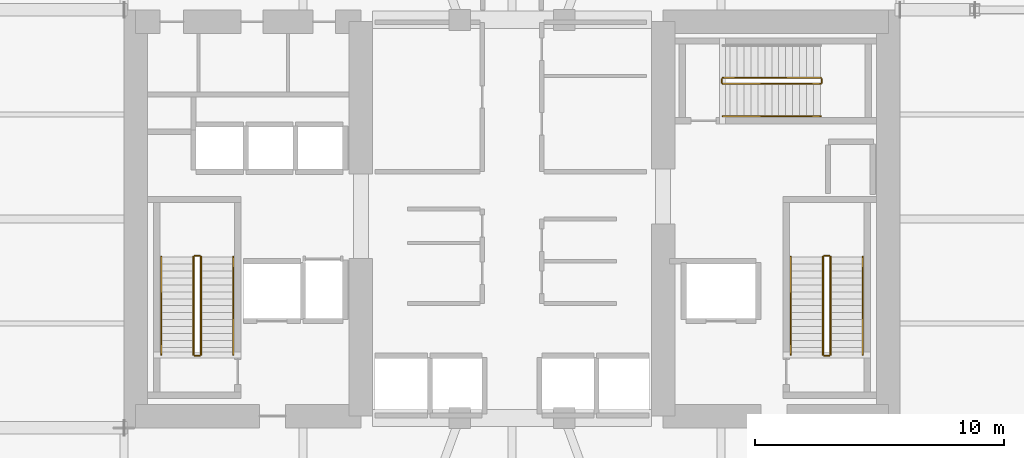
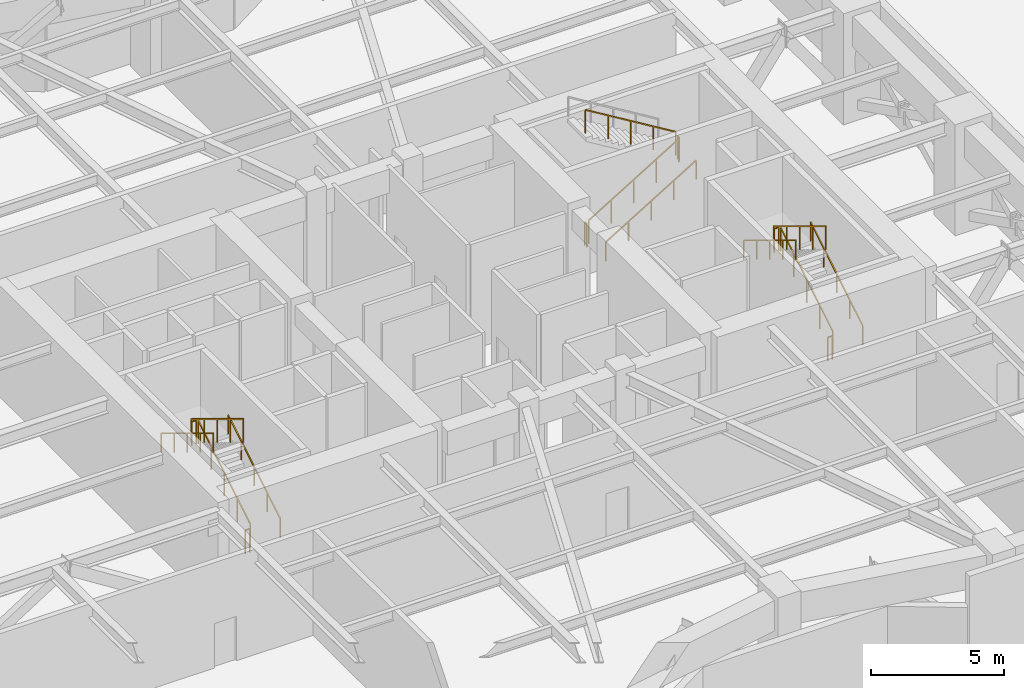
# One storey, part 15 of 16: 17 railings.
"""IFC4 building model written with IfcOpenShell, lengths in metres."""

from ifc_helpers import new_model, si_unit, direction, frame, origin, origin_2d, place, context, subcontext, project, spatial, rectangle, extrude, material, type_object, element, save


model = new_model("IFC4")

# Units and contexts
model_context = context("Model", 3, precision=1e-05, world=origin(), true_north=direction((0.0, 1.0)))
body_context = subcontext(model_context, "Body", "Model", "MODEL_VIEW")
ifc_project = project(units=[si_unit("LENGTHUNIT", "METRE"), si_unit("AREAUNIT", "SQUARE_METRE"), si_unit("VOLUMEUNIT", "CUBIC_METRE"), si_unit("PLANEANGLEUNIT", "RADIAN"), si_unit("MASSUNIT", "GRAM", prefix="KILO")], contexts=[model_context])

# Site, building, storey
site_placement = place(None, origin())
site = spatial("IfcSite", under=ifc_project, at=site_placement, CompositionType="ELEMENT")
building_placement = place(site_placement, origin())
building = spatial("IfcBuilding", under=site, at=building_placement, Name="Kiyonajd Concourse Tower", CompositionType="ELEMENT")
storey_placement = place(building_placement, frame((0.0, 0.0, 80.699951171875)))
storey = spatial("IfcBuildingStorey", under=building, at=storey_placement, Name="L21", CompositionType="ELEMENT", Elevation=80.699951171875)

# Railings
ifc_material_1 = material(Name="Steel ASTM A500 Grade C", Category="steel")
railing_type_1 = type_object("IfcRailingType", Name="RL-GRD-STR", PredefinedType="GUARDRAIL", material=ifc_material_1)
railing_1_placement = place(storey_placement, frame((35.5, 30.550048828125, 0.170166015625)))
element("IfcRailing", 1, at=railing_1_placement, inside=storey, type_object=railing_type_1, Name="L21 ST1 stair guard 1", PredefinedType="GUARDRAIL", context=body_context, shape_type="SweptSolid", body=[
    extrude(rectangle(XDim=0.048095703125, YDim=0.048095703125, at=origin_2d()), frame((0.0, 0.0, 1.076171875), z_axis=(0.0, 0.854794262968, 0.518967020143), x_axis=(-1.0, 0.0, 0.0)), (0.0, 0.0, 1.0), 4.585693359375),
    extrude(rectangle(XDim=0.0419921875, YDim=0.0419921875, at=origin_2d()), origin(), (0.0, 0.0, 1.0), 1.052001953125),
    extrude(rectangle(XDim=0.0419921875, YDim=0.0419921875, at=origin_2d()), frame((0.0, 0.97998046875, 0.594970703125)), (0.0, 0.0, 1.0), 1.052001953125),
    extrude(rectangle(XDim=0.0419921875, YDim=0.0419921875, at=origin_2d()), frame((0.0, 1.9599609375, 1.18994140625)), (0.0, 0.0, 1.0), 1.052001953125),
    extrude(rectangle(XDim=0.0419921875, YDim=0.0419921875, at=origin_2d()), frame((0.0, 2.93994140625, 1.784912109375)), (0.0, 0.0, 1.0), 1.052001953125),
    extrude(rectangle(XDim=0.0419921875, YDim=0.0419921875, at=origin_2d()), frame((0.0, 3.919921875, 2.3798828125)), (0.0, 0.0, 1.0), 1.052001953125),
])
railing_2_placement = place(storey_placement, frame((35.449951171875, 34.52001953125, 2.550048828125)))
element("IfcRailing", 2, at=railing_2_placement, inside=storey, type_object=railing_type_1, Name="L21 ST1 stair guard 2", PredefinedType="GUARDRAIL", context=body_context, shape_type="SweptSolid", body=[
    extrude(rectangle(XDim=0.048095703125, YDim=0.048095703125, at=origin_2d()), frame((0.0, 0.0, 1.076171875), z_axis=(-1.0, 0.0, 0.0), x_axis=(0.0, -1.0, 0.0)), (0.0, 0.0, 1.0), 0.199951171875),
    extrude(rectangle(XDim=0.0419921875, YDim=0.0419921875, at=origin_2d()), origin(), (0.0, 0.0, 1.0), 1.052001953125),
    extrude(rectangle(XDim=0.0419921875, YDim=0.0419921875, at=origin_2d()), frame((-0.199951171875, 0.0, 0.0)), (0.0, 0.0, 1.0), 1.052001953125),
])
railing_3_placement = place(storey_placement, frame((35.199951171875, 34.469970703125, 2.719970703125)))
element("IfcRailing", 3, at=railing_3_placement, inside=storey, type_object=railing_type_1, Name="L21 ST1 stair guard 3", PredefinedType="GUARDRAIL", context=body_context, shape_type="SweptSolid", body=[
    extrude(rectangle(XDim=0.048095703125, YDim=0.048095703125, at=origin_2d()), frame((0.0, 0.0, 1.076171875), z_axis=(0.0, -0.854770645689, 0.519005918337), x_axis=(1.0, 0.0, 0.0)), (0.0, 0.0, 1.0), 4.5859375),
    extrude(rectangle(XDim=0.0419921875, YDim=0.0419921875, at=origin_2d()), origin(), (0.0, 0.0, 1.0), 1.052001953125),
    extrude(rectangle(XDim=0.0419921875, YDim=0.0419921875, at=origin_2d()), frame((0.0, -0.97998046875, 0.594970703125)), (0.0, 0.0, 1.0), 1.052001953125),
    extrude(rectangle(XDim=0.0419921875, YDim=0.0419921875, at=origin_2d()), frame((0.0, -1.9599609375, 1.18994140625)), (0.0, 0.0, 1.0), 1.052001953125),
    extrude(rectangle(XDim=0.0419921875, YDim=0.0419921875, at=origin_2d()), frame((0.0, -2.93994140625, 1.78515625)), (0.0, 0.0, 1.0), 1.052001953125),
    extrude(rectangle(XDim=0.0419921875, YDim=0.0419921875, at=origin_2d()), frame((0.0, -3.919921875, 2.380126953125)), (0.0, 0.0, 1.0), 1.052001953125),
])
railing_4_placement = place(storey_placement, frame((35.449951171875, 30.5, 0.0)))
element("IfcRailing", 4, at=railing_4_placement, inside=storey, type_object=railing_type_1, Name="L21 ST1 stair guard 4", PredefinedType="GUARDRAIL", context=body_context, shape_type="SweptSolid", body=[
    extrude(rectangle(XDim=0.048095703125, YDim=0.048095703125, at=origin_2d()), frame((0.0, 0.0, 1.076171875), z_axis=(-1.0, 0.0, 0.0), x_axis=(0.0, -1.0, 0.0)), (0.0, 0.0, 1.0), 0.199951171875),
    extrude(rectangle(XDim=0.0419921875, YDim=0.0419921875, at=origin_2d()), origin(), (0.0, 0.0, 1.0), 1.052001953125),
    extrude(rectangle(XDim=0.0419921875, YDim=0.0419921875, at=origin_2d()), frame((-0.199951171875, 0.0, 0.0)), (0.0, 0.0, 1.0), 1.052001953125),
])
railing_5_placement = place(storey_placement, frame((60.800048828125, 30.550048828125, 0.170166015625)))
element("IfcRailing", 5, at=railing_5_placement, inside=storey, type_object=railing_type_1, Name="L21 ST2 stair guard 1", PredefinedType="GUARDRAIL", context=body_context, shape_type="SweptSolid", body=[
    extrude(rectangle(XDim=0.048095703125, YDim=0.048095703125, at=origin_2d()), frame((0.0, 0.0, 1.076171875), z_axis=(0.0, 0.854794262968, 0.518967020143), x_axis=(-1.0, 0.0, 0.0)), (0.0, 0.0, 1.0), 4.585693359375),
    extrude(rectangle(XDim=0.0419921875, YDim=0.0419921875, at=origin_2d()), origin(), (0.0, 0.0, 1.0), 1.052001953125),
    extrude(rectangle(XDim=0.0419921875, YDim=0.0419921875, at=origin_2d()), frame((0.0, 0.97998046875, 0.594970703125)), (0.0, 0.0, 1.0), 1.052001953125),
    extrude(rectangle(XDim=0.0419921875, YDim=0.0419921875, at=origin_2d()), frame((0.0, 1.9599609375, 1.18994140625)), (0.0, 0.0, 1.0), 1.052001953125),
    extrude(rectangle(XDim=0.0419921875, YDim=0.0419921875, at=origin_2d()), frame((0.0, 2.93994140625, 1.784912109375)), (0.0, 0.0, 1.0), 1.052001953125),
    extrude(rectangle(XDim=0.0419921875, YDim=0.0419921875, at=origin_2d()), frame((0.0, 3.919921875, 2.3798828125)), (0.0, 0.0, 1.0), 1.052001953125),
])
railing_6_placement = place(storey_placement, frame((60.75, 34.52001953125, 2.550048828125)))
element("IfcRailing", 6, at=railing_6_placement, inside=storey, type_object=railing_type_1, Name="L21 ST2 stair guard 2", PredefinedType="GUARDRAIL", context=body_context, shape_type="SweptSolid", body=[
    extrude(rectangle(XDim=0.048095703125, YDim=0.048095703125, at=origin_2d()), frame((0.0, 0.0, 1.076171875), z_axis=(-1.0, 0.0, 0.0), x_axis=(0.0, -1.0, 0.0)), (0.0, 0.0, 1.0), 0.199951171875),
    extrude(rectangle(XDim=0.0419921875, YDim=0.0419921875, at=origin_2d()), origin(), (0.0, 0.0, 1.0), 1.052001953125),
    extrude(rectangle(XDim=0.0419921875, YDim=0.0419921875, at=origin_2d()), frame((-0.199951171875, 0.0, 0.0)), (0.0, 0.0, 1.0), 1.052001953125),
])
railing_7_placement = place(storey_placement, frame((60.5, 34.469970703125, 2.719970703125)))
element("IfcRailing", 7, at=railing_7_placement, inside=storey, type_object=railing_type_1, Name="L21 ST2 stair guard 3", PredefinedType="GUARDRAIL", context=body_context, shape_type="SweptSolid", body=[
    extrude(rectangle(XDim=0.048095703125, YDim=0.048095703125, at=origin_2d()), frame((0.0, 0.0, 1.076171875), z_axis=(0.0, -0.854770645689, 0.519005918337), x_axis=(1.0, 0.0, 0.0)), (0.0, 0.0, 1.0), 4.5859375),
    extrude(rectangle(XDim=0.0419921875, YDim=0.0419921875, at=origin_2d()), origin(), (0.0, 0.0, 1.0), 1.052001953125),
    extrude(rectangle(XDim=0.0419921875, YDim=0.0419921875, at=origin_2d()), frame((0.0, -0.97998046875, 0.594970703125)), (0.0, 0.0, 1.0), 1.052001953125),
    extrude(rectangle(XDim=0.0419921875, YDim=0.0419921875, at=origin_2d()), frame((0.0, -1.9599609375, 1.18994140625)), (0.0, 0.0, 1.0), 1.052001953125),
    extrude(rectangle(XDim=0.0419921875, YDim=0.0419921875, at=origin_2d()), frame((0.0, -2.93994140625, 1.78515625)), (0.0, 0.0, 1.0), 1.052001953125),
    extrude(rectangle(XDim=0.0419921875, YDim=0.0419921875, at=origin_2d()), frame((0.0, -3.919921875, 2.380126953125)), (0.0, 0.0, 1.0), 1.052001953125),
])
railing_8_placement = place(storey_placement, frame((60.75, 30.5, 0.0)))
element("IfcRailing", 8, at=railing_8_placement, inside=storey, type_object=railing_type_1, Name="L21 ST2 stair guard 4", PredefinedType="GUARDRAIL", context=body_context, shape_type="SweptSolid", body=[
    extrude(rectangle(XDim=0.048095703125, YDim=0.048095703125, at=origin_2d()), frame((0.0, 0.0, 1.076171875), z_axis=(-1.0, 0.0, 0.0), x_axis=(0.0, -1.0, 0.0)), (0.0, 0.0, 1.0), 0.199951171875),
    extrude(rectangle(XDim=0.0419921875, YDim=0.0419921875, at=origin_2d()), origin(), (0.0, 0.0, 1.0), 1.052001953125),
    extrude(rectangle(XDim=0.0419921875, YDim=0.0419921875, at=origin_2d()), frame((-0.199951171875, 0.0, 0.0)), (0.0, 0.0, 1.0), 1.052001953125),
])
railing_9_placement = place(storey_placement, frame((56.47998046875, 41.429931640625, 0.170166015625)))
element("IfcRailing", 9, at=railing_9_placement, inside=storey, type_object=railing_type_1, Name="L21 ST3 stair guard 1", PredefinedType="GUARDRAIL", context=body_context, shape_type="SweptSolid", body=[
    extrude(rectangle(XDim=0.048095703125, YDim=0.048095703125, at=origin_2d()), frame((0.0, 0.0, 1.076171875), z_axis=(0.854794262968, 0.0, 0.518967020143), x_axis=(0.0, 1.0, 0.0)), (0.0, 0.0, 1.0), 4.585693359375),
    extrude(rectangle(XDim=0.0419921875, YDim=0.0419921875, at=origin_2d()), origin(), (0.0, 0.0, 1.0), 1.052001953125),
    extrude(rectangle(XDim=0.0419921875, YDim=0.0419921875, at=origin_2d()), frame((0.97998046875, 0.0, 0.594970703125)), (0.0, 0.0, 1.0), 1.052001953125),
    extrude(rectangle(XDim=0.0419921875, YDim=0.0419921875, at=origin_2d()), frame((1.9599609375, 0.0, 1.18994140625)), (0.0, 0.0, 1.0), 1.052001953125),
    extrude(rectangle(XDim=0.0419921875, YDim=0.0419921875, at=origin_2d()), frame((2.93994140625, 0.0, 1.784912109375)), (0.0, 0.0, 1.0), 1.052001953125),
    extrude(rectangle(XDim=0.0419921875, YDim=0.0419921875, at=origin_2d()), frame((3.919921875, 0.0, 2.3798828125)), (0.0, 0.0, 1.0), 1.052001953125),
])
railing_10_placement = place(storey_placement, frame((60.449951171875, 41.47998046875, 2.550048828125)))
element("IfcRailing", 10, at=railing_10_placement, inside=storey, type_object=railing_type_1, Name="L21 ST3 stair guard 2", PredefinedType="GUARDRAIL", context=body_context, shape_type="SweptSolid", body=[
    extrude(rectangle(XDim=0.048095703125, YDim=0.048095703125, at=origin_2d()), frame((0.0, 0.0, 1.076171875), z_axis=(0.0, 1.0, 0.0), x_axis=(-1.0, 0.0, 0.0)), (0.0, 0.0, 1.0), 0.14013671875),
    extrude(rectangle(XDim=0.0419921875, YDim=0.0419921875, at=origin_2d()), origin(), (0.0, 0.0, 1.0), 1.052001953125),
    extrude(rectangle(XDim=0.0419921875, YDim=0.0419921875, at=origin_2d()), frame((0.0, 0.14013671875, 0.0)), (0.0, 0.0, 1.0), 1.052001953125),
])
railing_11_placement = place(storey_placement, frame((60.39990234375, 41.669921875, 2.719970703125)))
element("IfcRailing", 11, at=railing_11_placement, inside=storey, type_object=railing_type_1, Name="L21 ST3 stair guard 3", PredefinedType="GUARDRAIL", context=body_context, shape_type="SweptSolid", body=[
    extrude(rectangle(XDim=0.048095703125, YDim=0.048095703125, at=origin_2d()), frame((0.0, 0.0, 1.076171875), z_axis=(-0.854770645689, 0.0, 0.519005918337), x_axis=(0.0, -1.0, 0.0)), (0.0, 0.0, 1.0), 4.5859375),
    extrude(rectangle(XDim=0.0419921875, YDim=0.0419921875, at=origin_2d()), origin(), (0.0, 0.0, 1.0), 1.052001953125),
    extrude(rectangle(XDim=0.0419921875, YDim=0.0419921875, at=origin_2d()), frame((-0.97998046875, 0.0, 0.594970703125)), (0.0, 0.0, 1.0), 1.052001953125),
    extrude(rectangle(XDim=0.0419921875, YDim=0.0419921875, at=origin_2d()), frame((-1.9599609375, 0.0, 1.18994140625)), (0.0, 0.0, 1.0), 1.052001953125),
    extrude(rectangle(XDim=0.0419921875, YDim=0.0419921875, at=origin_2d()), frame((-2.93994140625, 0.0, 1.78515625)), (0.0, 0.0, 1.0), 1.052001953125),
    extrude(rectangle(XDim=0.0419921875, YDim=0.0419921875, at=origin_2d()), frame((-3.919921875, 0.0, 2.380126953125)), (0.0, 0.0, 1.0), 1.052001953125),
])
railing_12_placement = place(storey_placement, frame((56.429931640625, 41.47998046875, 0.0)))
element("IfcRailing", 12, at=railing_12_placement, inside=storey, type_object=railing_type_1, Name="L21 ST3 stair guard 4", PredefinedType="GUARDRAIL", context=body_context, shape_type="SweptSolid", body=[
    extrude(rectangle(XDim=0.048095703125, YDim=0.048095703125, at=origin_2d()), frame((0.0, 0.0, 1.076171875), z_axis=(0.0, 1.0, 0.0), x_axis=(-1.0, 0.0, 0.0)), (0.0, 0.0, 1.0), 0.14013671875),
    extrude(rectangle(XDim=0.0419921875, YDim=0.0419921875, at=origin_2d()), origin(), (0.0, 0.0, 1.0), 1.052001953125),
    extrude(rectangle(XDim=0.0419921875, YDim=0.0419921875, at=origin_2d()), frame((0.0, 0.14013671875, 0.0)), (0.0, 0.0, 1.0), 1.052001953125),
])
ifc_material_2 = material(Name="Brushed Stainless Steel Cab Assembly", Category="steel")
railing_type_2 = type_object("IfcRailingType", Name="RL-HND-900", PredefinedType="HANDRAIL", material=ifc_material_2)
railing_13_placement = place(storey_placement, frame((36.800048828125, 30.550048828125, 0.170166015625)))
element("IfcRailing", 13, at=railing_13_placement, inside=storey, type_object=railing_type_2, Name="L21 ST1 stair handrail 1", PredefinedType="HANDRAIL", context=body_context, shape_type="SweptSolid", body=[
    extrude(rectangle(XDim=0.048095703125, YDim=0.048095703125, at=origin_2d()), frame((0.0, 0.0, 0.8759765625), z_axis=(0.0, 0.854794262968, 0.518967020143), x_axis=(-1.0, 0.0, 0.0)), (0.0, 0.0, 1.0), 4.585693359375),
    extrude(rectangle(XDim=0.0419921875, YDim=0.0419921875, at=origin_2d()), origin(), (0.0, 0.0, 1.0), 0.851806640625),
    extrude(rectangle(XDim=0.0419921875, YDim=0.0419921875, at=origin_2d()), frame((0.0, 0.97998046875, 0.594970703125)), (0.0, 0.0, 1.0), 0.851806640625),
    extrude(rectangle(XDim=0.0419921875, YDim=0.0419921875, at=origin_2d()), frame((0.0, 1.9599609375, 1.18994140625)), (0.0, 0.0, 1.0), 0.851806640625),
    extrude(rectangle(XDim=0.0419921875, YDim=0.0419921875, at=origin_2d()), frame((0.0, 2.93994140625, 1.784912109375)), (0.0, 0.0, 1.0), 0.851806640625),
    extrude(rectangle(XDim=0.0419921875, YDim=0.0419921875, at=origin_2d()), frame((0.0, 3.919921875, 2.3798828125)), (0.0, 0.0, 1.0), 0.851806640625),
])
railing_14_placement = place(storey_placement, frame((33.89990234375, 34.469970703125, 2.719970703125)))
element("IfcRailing", 14, at=railing_14_placement, inside=storey, type_object=railing_type_2, Name="L21 ST1 stair handrail 2", PredefinedType="HANDRAIL", context=body_context, shape_type="SweptSolid", body=[
    extrude(rectangle(XDim=0.048095703125, YDim=0.048095703125, at=origin_2d()), frame((0.0, 0.0, 0.8759765625), z_axis=(0.0, -0.854770645689, 0.519005918337), x_axis=(1.0, 0.0, 0.0)), (0.0, 0.0, 1.0), 4.5859375),
    extrude(rectangle(XDim=0.0419921875, YDim=0.0419921875, at=origin_2d()), origin(), (0.0, 0.0, 1.0), 0.851806640625),
    extrude(rectangle(XDim=0.0419921875, YDim=0.0419921875, at=origin_2d()), frame((0.0, -0.97998046875, 0.594970703125)), (0.0, 0.0, 1.0), 0.851806640625),
    extrude(rectangle(XDim=0.0419921875, YDim=0.0419921875, at=origin_2d()), frame((0.0, -1.9599609375, 1.18994140625)), (0.0, 0.0, 1.0), 0.851806640625),
    extrude(rectangle(XDim=0.0419921875, YDim=0.0419921875, at=origin_2d()), frame((0.0, -2.93994140625, 1.78515625)), (0.0, 0.0, 1.0), 0.851806640625),
    extrude(rectangle(XDim=0.0419921875, YDim=0.0419921875, at=origin_2d()), frame((0.0, -3.919921875, 2.380126953125)), (0.0, 0.0, 1.0), 0.851806640625),
])
railing_15_placement = place(storey_placement, frame((62.10009765625, 30.550048828125, 0.170166015625)))
element("IfcRailing", 15, at=railing_15_placement, inside=storey, type_object=railing_type_2, Name="L21 ST2 stair handrail 1", PredefinedType="HANDRAIL", context=body_context, shape_type="SweptSolid", body=[
    extrude(rectangle(XDim=0.048095703125, YDim=0.048095703125, at=origin_2d()), frame((0.0, 0.0, 0.8759765625), z_axis=(0.0, 0.854794262968, 0.518967020143), x_axis=(-1.0, 0.0, 0.0)), (0.0, 0.0, 1.0), 4.585693359375),
    extrude(rectangle(XDim=0.0419921875, YDim=0.0419921875, at=origin_2d()), origin(), (0.0, 0.0, 1.0), 0.851806640625),
    extrude(rectangle(XDim=0.0419921875, YDim=0.0419921875, at=origin_2d()), frame((0.0, 0.97998046875, 0.594970703125)), (0.0, 0.0, 1.0), 0.851806640625),
    extrude(rectangle(XDim=0.0419921875, YDim=0.0419921875, at=origin_2d()), frame((0.0, 1.9599609375, 1.18994140625)), (0.0, 0.0, 1.0), 0.851806640625),
    extrude(rectangle(XDim=0.0419921875, YDim=0.0419921875, at=origin_2d()), frame((0.0, 2.93994140625, 1.784912109375)), (0.0, 0.0, 1.0), 0.851806640625),
    extrude(rectangle(XDim=0.0419921875, YDim=0.0419921875, at=origin_2d()), frame((0.0, 3.919921875, 2.3798828125)), (0.0, 0.0, 1.0), 0.851806640625),
])
railing_16_placement = place(storey_placement, frame((59.199951171875, 34.469970703125, 2.719970703125)))
element("IfcRailing", 16, at=railing_16_placement, inside=storey, type_object=railing_type_2, Name="L21 ST2 stair handrail 2", PredefinedType="HANDRAIL", context=body_context, shape_type="SweptSolid", body=[
    extrude(rectangle(XDim=0.048095703125, YDim=0.048095703125, at=origin_2d()), frame((0.0, 0.0, 0.8759765625), z_axis=(0.0, -0.854770645689, 0.519005918337), x_axis=(1.0, 0.0, 0.0)), (0.0, 0.0, 1.0), 4.5859375),
    extrude(rectangle(XDim=0.0419921875, YDim=0.0419921875, at=origin_2d()), origin(), (0.0, 0.0, 1.0), 0.851806640625),
    extrude(rectangle(XDim=0.0419921875, YDim=0.0419921875, at=origin_2d()), frame((0.0, -0.97998046875, 0.594970703125)), (0.0, 0.0, 1.0), 0.851806640625),
    extrude(rectangle(XDim=0.0419921875, YDim=0.0419921875, at=origin_2d()), frame((0.0, -1.9599609375, 1.18994140625)), (0.0, 0.0, 1.0), 0.851806640625),
    extrude(rectangle(XDim=0.0419921875, YDim=0.0419921875, at=origin_2d()), frame((0.0, -2.93994140625, 1.78515625)), (0.0, 0.0, 1.0), 0.851806640625),
    extrude(rectangle(XDim=0.0419921875, YDim=0.0419921875, at=origin_2d()), frame((0.0, -3.919921875, 2.380126953125)), (0.0, 0.0, 1.0), 0.851806640625),
])
railing_17_placement = place(storey_placement, frame((56.47998046875, 40.1298828125, 0.170166015625)))
element("IfcRailing", 17, at=railing_17_placement, inside=storey, type_object=railing_type_2, Name="L21 ST3 stair handrail 1", PredefinedType="HANDRAIL", context=body_context, shape_type="SweptSolid", body=[
    extrude(rectangle(XDim=0.048095703125, YDim=0.048095703125, at=origin_2d()), frame((0.0, 0.0, 0.8759765625), z_axis=(0.854794262968, 0.0, 0.518967020143), x_axis=(0.0, 1.0, 0.0)), (0.0, 0.0, 1.0), 4.585693359375),
    extrude(rectangle(XDim=0.0419921875, YDim=0.0419921875, at=origin_2d()), origin(), (0.0, 0.0, 1.0), 0.851806640625),
    extrude(rectangle(XDim=0.0419921875, YDim=0.0419921875, at=origin_2d()), frame((0.97998046875, 0.0, 0.594970703125)), (0.0, 0.0, 1.0), 0.851806640625),
    extrude(rectangle(XDim=0.0419921875, YDim=0.0419921875, at=origin_2d()), frame((1.9599609375, 0.0, 1.18994140625)), (0.0, 0.0, 1.0), 0.851806640625),
    extrude(rectangle(XDim=0.0419921875, YDim=0.0419921875, at=origin_2d()), frame((2.93994140625, 0.0, 1.784912109375)), (0.0, 0.0, 1.0), 0.851806640625),
    extrude(rectangle(XDim=0.0419921875, YDim=0.0419921875, at=origin_2d()), frame((3.919921875, 0.0, 2.3798828125)), (0.0, 0.0, 1.0), 0.851806640625),
])

save(model, "model.ifc")
